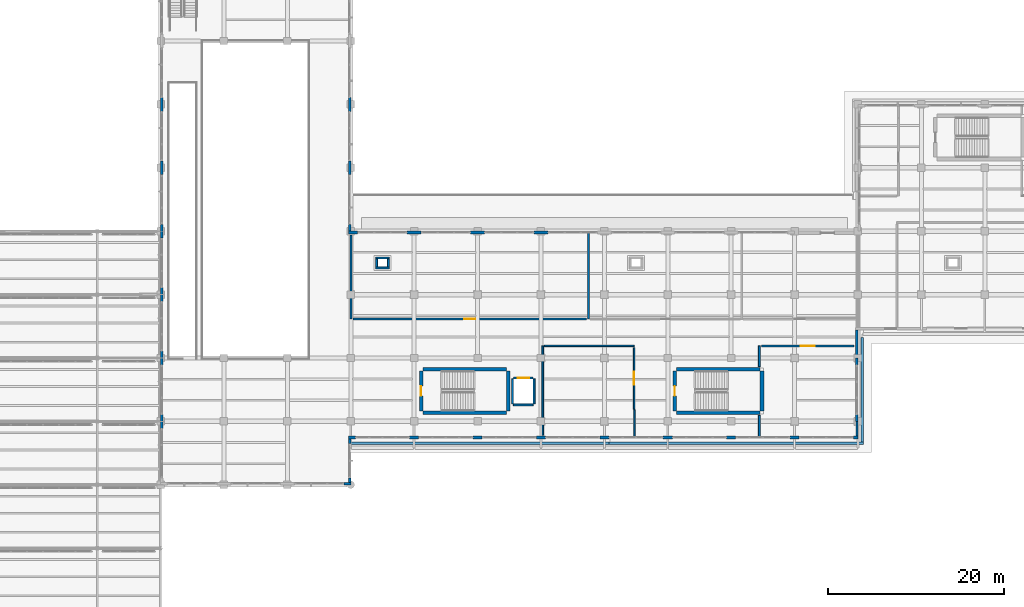
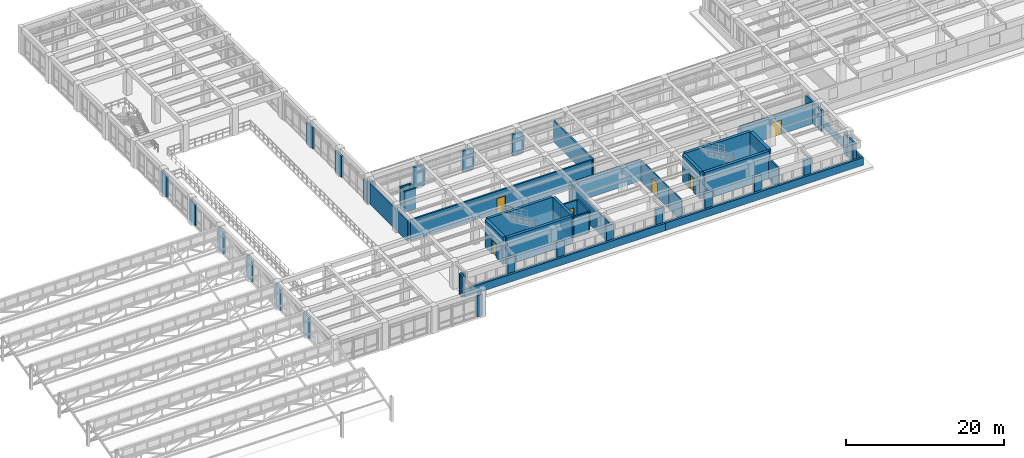
# One storey, part 83 of 98: 58 walls, 6 doors, 6 openings.
"""IFC4 building model written with IfcOpenShell, lengths in metres."""

from ifc_helpers import new_model, si_unit, direction, frame, frame_2d, origin, place, context, subcontext, project, spatial, rectangle, extrude, material, layer, layer_set, type_object, element, fill, save


model = new_model("IFC4")

# Units and contexts
model_context = context("Model", 3, precision=1e-05, world=origin(), true_north=direction((0.0, 1.0)))
body_context = subcontext(model_context, "Body", "Model", "MODEL_VIEW")
ifc_project = project(units=[si_unit("LENGTHUNIT", "METRE"), si_unit("AREAUNIT", "SQUARE_METRE"), si_unit("VOLUMEUNIT", "CUBIC_METRE"), si_unit("PLANEANGLEUNIT", "RADIAN"), si_unit("MASSUNIT", "GRAM", prefix="KILO")], contexts=[model_context])

# Site, building, storey
site_placement = place(None, origin())
site = spatial("IfcSite", under=ifc_project, at=site_placement, CompositionType="ELEMENT")
building_placement = place(site_placement, origin())
building = spatial("IfcBuilding", under=site, at=building_placement, Name="Solenvale Faculty of Natural Sciences", CompositionType="ELEMENT")
storey_placement = place(building_placement, frame((0.0, 0.0, 9.0)))
storey = spatial("IfcBuildingStorey", under=building, at=storey_placement, Name="L02", CompositionType="ELEMENT", Elevation=9.0)

# Walls
ifc_material_1 = material(Name="Architectural bronze concrete 40 MPa", Category="concrete")
ifc_layer_1 = layer(ifc_material_1, 0.300048828125)
ifc_layer_set_1 = layer_set([ifc_layer_1], Name="Architectural bronze concrete 40 MPa")
wall_type_1 = type_object("IfcWallType", Name="WL-EXT-BRZ-300", PredefinedType="STANDARD", material=ifc_layer_set_1)
wall_1_placement = place(storey_placement, frame((115.669921875, 31.15087890625, 0.0), z_axis=(0.0, 0.0, 1.0), x_axis=(0.0, -1.0, 0.0)))
element("IfcWall", 1, at=wall_1_placement, inside=storey, type_object=wall_type_1, Name="L02 Sliding-Tray Rough Bronze Concrete Band 5", PredefinedType="PARAPET", context=body_context, shape_type="SweptSolid", body=[
    extrude(rectangle(XDim=11.870849609375, YDim=0.300048828125, at=frame_2d((5.935546875, 0.0))), origin(), (0.0, 0.0, 1.0), 1.179931640625),
])
wall_2_placement = place(storey_placement, frame((115.820068359375, 19.1298828125, 0.0), z_axis=(0.0, 0.0, 1.0), x_axis=(-1.0, 0.0, 0.0)))
element("IfcWall", 2, at=wall_2_placement, inside=storey, type_object=wall_type_1, Name="L02 Sliding-Tray Rough Bronze Concrete Band 6", PredefinedType="PARAPET", context=body_context, shape_type="SweptSolid", body=[
    extrude(rectangle(XDim=28.907958984375, YDim=0.300048828125, at=frame_2d((14.4541015625, 0.0))), origin(), (0.0, 0.0, 1.0), 1.179931640625),
])
wall_3_placement = place(storey_placement, frame((87.1279296875, 19.1298828125, 0.0), z_axis=(0.0, 0.0, 1.0), x_axis=(-1.0, 0.0, 0.0)))
element("IfcWall", 3, at=wall_3_placement, inside=storey, type_object=wall_type_1, Name="L02 Sliding-Tray Rough Bronze Concrete Band 7", PredefinedType="PARAPET", context=body_context, shape_type="SweptSolid", body=[
    extrude(rectangle(XDim=29.498046875, YDim=0.300048828125, at=frame_2d((14.7490234375, 0.0))), origin(), (0.0, 0.0, 1.0), 1.179931640625),
])
ifc_layer_2 = layer(ifc_material_1, 0.324951171875)
ifc_layer_set_2 = layer_set([ifc_layer_2], Name="Architectural bronze concrete 40 MPa")
wall_type_2 = type_object("IfcWallType", Name="WL-EXT-BRZ-325", PredefinedType="STANDARD", material=ifc_layer_set_2)
wall_4_placement = place(storey_placement, frame((79.988037109375, 43.03759765625, 0.0), z_axis=(0.0, 0.0, 1.0), x_axis=(-1.0, 0.0, 0.0)))
element("IfcWall", 4, at=wall_4_placement, inside=storey, type_object=wall_type_2, Name="L02 Facade Closure Pier 6.B5-R", PredefinedType="STANDARD", context=body_context, shape_type="SweptSolid", body=[
    extrude(rectangle(XDim=1.575927734375, YDim=0.324951171875, at=frame_2d((0.7880859375, 0.0))), origin(), (0.0, 0.0, 1.0), 3.260009765625),
])
wall_5_placement = place(storey_placement, frame((72.7880859375, 43.03759765625, 0.0), z_axis=(0.0, 0.0, 1.0), x_axis=(-1.0, 0.0, 0.0)))
element("IfcWall", 5, at=wall_5_placement, inside=storey, type_object=wall_type_2, Name="L02 Facade Closure Pier 6.B6-R", PredefinedType="STANDARD", context=body_context, shape_type="SweptSolid", body=[
    extrude(rectangle(XDim=1.576171875, YDim=0.324951171875, at=frame_2d((0.7880859375, 0.0))), origin(), (0.0, 0.0, 1.0), 3.260009765625),
])
wall_6_placement = place(storey_placement, frame((65.587890625, 43.03759765625, 0.0), z_axis=(0.0, 0.0, 1.0), x_axis=(-1.0, 0.0, 0.0)))
element("IfcWall", 6, at=wall_6_placement, inside=storey, type_object=wall_type_2, Name="L02 Facade Closure Pier 6.B7-R", PredefinedType="STANDARD", context=body_context, shape_type="SweptSolid", body=[
    extrude(rectangle(XDim=1.575927734375, YDim=0.324951171875, at=frame_2d((0.7880859375, 0.0))), origin(), (0.0, 0.0, 1.0), 3.260009765625),
])
wall_7_placement = place(storey_placement, frame((58.387939453125, 43.03759765625, 0.0), z_axis=(0.0, 0.0, 1.0), x_axis=(-1.0, 0.0, 0.0)))
element("IfcWall", 7, at=wall_7_placement, inside=storey, type_object=wall_type_2, Name="L02 Facade Closure Pier 6.B8-R", PredefinedType="STANDARD", context=body_context, shape_type="SweptSolid", body=[
    extrude(rectangle(XDim=1.072998046875, YDim=0.324951171875, at=frame_2d((0.53662109375, 0.0))), origin(), (0.0, 0.0, 1.0), 3.260009765625),
])
wall_8_placement = place(storey_placement, frame((57.31494140625, 19.762451171875, 0.0), z_axis=(0.0, 0.0, 1.0), x_axis=(1.0, 0.0, 0.0)))
element("IfcWall", 8, at=wall_8_placement, inside=storey, type_object=wall_type_2, Name="L02 Facade Closure Pier 12.B1-L", PredefinedType="STANDARD", context=body_context, shape_type="SweptSolid", body=[
    extrude(rectangle(XDim=0.802978515625, YDim=0.324951171875, at=frame_2d((0.4013671875, 0.0))), origin(), (0.0, 0.0, 1.0), 3.260009765625),
])
for number, where, z_axis, x_axis, name in (
    (9, (64.281982421875, 19.762451171875, 0.0), (0.0, 0.0, 1.0), (1.0, 0.0, 0.0), "L02 Facade Closure Pier 12.B1-R"),
    (10, (71.48193359375, 19.762451171875, 0.0), (0.0, 0.0, 1.0), (1.0, 0.0, 0.0), "L02 Facade Closure Pier 12.B2-R"),
    (11, (78.681884765625, 19.762451171875, 0.0), (0.0, 0.0, 1.0), (1.0, 0.0, 0.0), "L02 Facade Closure Pier 12.B3-R"),
):
    element("IfcWall", number, at=place(storey_placement, frame(where, z_axis=z_axis, x_axis=x_axis)), inside=storey, type_object=wall_type_2, Name=name, PredefinedType="STANDARD", context=body_context, shape_type="SweptSolid", body=[
        extrude(rectangle(XDim=1.0361328125, YDim=0.324951171875, at=frame_2d((0.51806640625, 0.0))), origin(), (0.0, 0.0, 1.0), 3.260009765625),
    ])
for number, where, z_axis, x_axis, name in (
    (12, (85.882080078125, 19.762451171875, 0.0), (0.0, 0.0, 1.0), (1.0, 0.0, 0.0), "L02 Facade Closure Pier 12.B4-R"),
    (13, (93.08203125, 19.762451171875, 0.0), (0.0, 0.0, 1.0), (1.0, 0.0, 0.0), "L02 Facade Closure Pier 12.B5-R"),
):
    element("IfcWall", number, at=place(storey_placement, frame(where, z_axis=z_axis, x_axis=x_axis)), inside=storey, type_object=wall_type_2, Name=name, PredefinedType="STANDARD", context=body_context, shape_type="SweptSolid", body=[
        extrude(rectangle(XDim=1.035888671875, YDim=0.324951171875, at=frame_2d((0.51806640625, 0.0))), origin(), (0.0, 0.0, 1.0), 3.260009765625),
    ])
for number, where, z_axis, x_axis, name in (
    (14, (100.281982421875, 19.762451171875, 0.0), (0.0, 0.0, 1.0), (1.0, 0.0, 0.0), "L02 Facade Closure Pier 12.B6-R"),
    (15, (107.48193359375, 19.762451171875, 0.0), (0.0, 0.0, 1.0), (1.0, 0.0, 0.0), "L02 Facade Closure Pier 12.B7-R"),
):
    element("IfcWall", number, at=place(storey_placement, frame(where, z_axis=z_axis, x_axis=x_axis)), inside=storey, type_object=wall_type_2, Name=name, PredefinedType="STANDARD", context=body_context, shape_type="SweptSolid", body=[
        extrude(rectangle(XDim=1.0361328125, YDim=0.324951171875, at=frame_2d((0.51806640625, 0.0))), origin(), (0.0, 0.0, 1.0), 3.260009765625),
    ])
wall_9_placement = place(storey_placement, frame((114.681884765625, 19.762451171875, 0.0), z_axis=(0.0, 0.0, 1.0), x_axis=(1.0, 0.0, 0.0)))
element("IfcWall", 16, at=wall_9_placement, inside=storey, type_object=wall_type_2, Name="L02 Facade Closure Pier 12.B8-R", PredefinedType="STANDARD", context=body_context, shape_type="SweptSolid", body=[
    extrude(rectangle(XDim=0.51806640625, YDim=0.324951171875, at=frame_2d((0.259033203125, 0.0))), origin(), (0.0, 0.0, 1.0), 3.260009765625),
])
ifc_material_2 = material(Name="Precast concrete 40 MPa", Category="concrete")
ifc_layer_3 = layer(ifc_material_2, 0.2451171875)
ifc_layer_set_3 = layer_set([ifc_layer_3], Name="Precast concrete 40 MPa")
wall_type_3 = type_object("IfcWallType", Name="WL-EXT-PRC-245", PredefinedType="STANDARD", material=ifc_layer_set_3)
wall_10_placement = place(storey_placement, frame((115.077392578125, 21.60009765625, 0.0), z_axis=(0.0, 0.0, 1.0), x_axis=(0.0, -1.0, 0.0)))
element("IfcWall", 17, at=wall_10_placement, inside=storey, type_object=wall_type_3, Name="L02 Exterior Wall 1.1", PredefinedType="STANDARD", context=body_context, shape_type="SweptSolid", body=[
    extrude(rectangle(XDim=1.675048828125, YDim=0.2451171875, at=frame_2d((0.83740234375, 0.0))), origin(), (0.0, 0.0, 1.0), 3.260009765625),
])
ifc_layer_4 = layer(ifc_material_2, 0.284912109375)
ifc_layer_set_4 = layer_set([ifc_layer_4], Name="Precast concrete 40 MPa")
wall_type_4 = type_object("IfcWallType", Name="WL-EXT-PRC-285", PredefinedType="STANDARD", material=ifc_layer_set_4)
wall_11_placement = place(storey_placement, frame((115.0576171875, 21.60009765625, 0.0), z_axis=(0.0, 0.0, 1.0), x_axis=(0.0, 1.0, 0.0)))
element("IfcWall", 18, at=wall_11_placement, inside=storey, type_object=wall_type_4, Name="L02 Facade Closure Pier 1.B2-L", PredefinedType="STANDARD", context=body_context, shape_type="SweptSolid", body=[
    extrude(rectangle(XDim=0.787841796875, YDim=0.284912109375, at=frame_2d((0.39404296875, 0.0))), origin(), (0.0, 0.0, 1.0), 3.260009765625),
])
for number, where, z_axis, x_axis, name in (
    (19, (115.0576171875, 28.011962890625, 0.0), (0.0, 0.0, 1.0), (0.0, 1.0, 0.0), "L02 Facade Closure Pier 1.B2-R"),
    (20, (57.45751953125, 43.199951171875, 0.0), (0.0, 0.0, 1.0), (0.0, 1.0, 0.0), "L02 Facade Closure Pier 7.B1-L"),
):
    element("IfcWall", number, at=place(storey_placement, frame(where, z_axis=z_axis, x_axis=x_axis)), inside=storey, type_object=wall_type_4, Name=name, PredefinedType="STANDARD", context=body_context, shape_type="SweptSolid", body=[
        extrude(rectangle(XDim=0.7880859375, YDim=0.284912109375, at=frame_2d((0.39404296875, 0.0))), origin(), (0.0, 0.0, 1.0), 3.260009765625),
    ])
for number, where, z_axis, x_axis, name in (
    (21, (57.45751953125, 49.612060546875, 0.0), (0.0, 0.0, 1.0), (0.0, 1.0, 0.0), "L02 Facade Closure Pier 7.B1-R"),
    (22, (57.45751953125, 56.81201171875, 0.0), (0.0, 0.0, 1.0), (0.0, 1.0, 0.0), "L02 Facade Closure Pier 7.B2-R"),
    (23, (36.142578125, 58.387939453125, 0.0), (0.0, 0.0, 1.0), (0.0, -1.0, 0.0), "L02 Facade Closure Pier 9.B5-R"),
    (24, (36.142578125, 51.18798828125, 0.0), (0.0, 0.0, 1.0), (0.0, -1.0, 0.0), "L02 Facade Closure Pier 9.B6-R"),
    (25, (36.142578125, 43.988037109375, 0.0), (0.0, 0.0, 1.0), (0.0, -1.0, 0.0), "L02 Facade Closure Pier 9.B7-R"),
):
    element("IfcWall", number, at=place(storey_placement, frame(where, z_axis=z_axis, x_axis=x_axis)), inside=storey, type_object=wall_type_4, Name=name, PredefinedType="STANDARD", context=body_context, shape_type="SweptSolid", body=[
        extrude(rectangle(XDim=1.575927734375, YDim=0.284912109375, at=frame_2d((0.7880859375, 0.0))), origin(), (0.0, 0.0, 1.0), 3.260009765625),
    ])
wall_12_placement = place(storey_placement, frame((36.142578125, 36.7880859375, 0.0), z_axis=(0.0, 0.0, 1.0), x_axis=(0.0, -1.0, 0.0)))
element("IfcWall", 26, at=wall_12_placement, inside=storey, type_object=wall_type_4, Name="L02 Facade Closure Pier 9.B8-R", PredefinedType="STANDARD", context=body_context, shape_type="SweptSolid", body=[
    extrude(rectangle(XDim=1.576171875, YDim=0.284912109375, at=frame_2d((0.7880859375, 0.0))), origin(), (0.0, 0.0, 1.0), 3.260009765625),
])
for number, where, z_axis, x_axis, name in (
    (27, (36.142578125, 29.587890625, 0.0), (0.0, 0.0, 1.0), (0.0, -1.0, 0.0), "L02 Facade Closure Pier 9.B9-R"),
    (28, (36.142578125, 22.387939453125, 0.0), (0.0, 0.0, 1.0), (0.0, -1.0, 0.0), "L02 Facade Closure Pier 9.B10-R"),
):
    element("IfcWall", number, at=place(storey_placement, frame(where, z_axis=z_axis, x_axis=x_axis)), inside=storey, type_object=wall_type_4, Name=name, PredefinedType="STANDARD", context=body_context, shape_type="SweptSolid", body=[
        extrude(rectangle(XDim=1.575927734375, YDim=0.284912109375, at=frame_2d((0.7880859375, 0.0))), origin(), (0.0, 0.0, 1.0), 3.260009765625),
    ])
wall_13_placement = place(storey_placement, frame((56.81201171875, 14.54248046875, 0.0), z_axis=(0.0, 0.0, 1.0), x_axis=(1.0, 0.0, 0.0)))
element("IfcWall", 29, at=wall_13_placement, inside=storey, type_object=wall_type_4, Name="L02 Facade Closure Pier 10.B3-R", PredefinedType="STANDARD", context=body_context, shape_type="SweptSolid", body=[
    extrude(rectangle(XDim=0.7880859375, YDim=0.284912109375, at=frame_2d((0.39404296875, 0.0))), origin(), (0.0, 0.0, 1.0), 3.260009765625),
])
wall_14_placement = place(storey_placement, frame((57.45751953125, 14.68505859375, 0.0), z_axis=(0.0, 0.0, 1.0), x_axis=(0.0, 1.0, 0.0)))
element("IfcWall", 30, at=wall_14_placement, inside=storey, type_object=wall_type_4, Name="L02 Facade Closure Pier 11.B1-L", PredefinedType="STANDARD", context=body_context, shape_type="SweptSolid", body=[
    extrude(rectangle(XDim=0.5029296875, YDim=0.284912109375, at=frame_2d((0.25146484375, 0.0))), origin(), (0.0, 0.0, 1.0), 3.260009765625),
])
wall_15_placement = place(storey_placement, frame((57.45751953125, 19.08203125, 0.0), z_axis=(0.0, 0.0, 1.0), x_axis=(0.0, 1.0, 0.0)))
element("IfcWall", 31, at=wall_15_placement, inside=storey, type_object=wall_type_4, Name="L02 Facade Closure Pier 11.B1-R", PredefinedType="STANDARD", context=body_context, shape_type="SweptSolid", body=[
    extrude(rectangle(XDim=0.51806640625, YDim=0.284912109375, at=frame_2d((0.259033203125, 0.0))), origin(), (0.0, 0.0, 1.0), 3.260009765625),
])
ifc_layer_5 = layer(ifc_material_2, 0.304931640625)
ifc_layer_set_5 = layer_set([ifc_layer_5], Name="Precast concrete 40 MPa")
wall_type_5 = type_object("IfcWallType", Name="WL-EXT-PRC-305", PredefinedType="STANDARD", material=ifc_layer_set_5)
wall_16_placement = place(storey_placement, frame((115.047607421875, 32.0, 0.0), z_axis=(0.0, 0.0, 1.0), x_axis=(0.0, -1.0, 0.0)))
element("IfcWall", 32, at=wall_16_placement, inside=storey, type_object=wall_type_5, Name="L02 Exterior Wall 1.3", PredefinedType="STANDARD", context=body_context, shape_type="SweptSolid", body=[
    extrude(rectangle(XDim=3.199951171875, YDim=0.304931640625, at=frame_2d((1.60009765625, 0.0))), origin(), (0.0, 0.0, 1.0), 3.260009765625),
])
ifc_material_3 = material(Name="Gypsum fire-rated laboratory partition")
ifc_layer_6 = layer(ifc_material_3, 0.175048828125)
ifc_layer_set_6 = layer_set([ifc_layer_6], Name="Gypsum fire-rated laboratory partition")
wall_type_6 = type_object("IfcWallType", Name="WL-LAB-175", PredefinedType="PARTITIONING", material=ifc_layer_set_6)
wall_17_placement = place(storey_placement, frame((79.39990234375, 20.02392578125, 0.0), z_axis=(0.0, 0.0, 1.0), x_axis=(0.0, 1.0, 0.0)))
element("IfcWall", 33, at=wall_17_placement, inside=storey, type_object=wall_type_6, Name="L02 Biochemistry Teaching Laboratory Partition 1", PredefinedType="PARTITIONING", context=body_context, shape_type="SweptSolid", body=[
    extrude(rectangle(XDim=10.156005859375, YDim=0.175048828125, at=frame_2d((5.078125, 0.0))), origin(), (0.0, 0.0, 1.0), 3.260009765625),
])
wall_18_placement = place(storey_placement, frame((79.5869140625, 30.179931640625, 0.0), z_axis=(0.0, 0.0, 1.0), x_axis=(1.0, 0.0, 0.0)))
element("IfcWall", 34, at=wall_18_placement, inside=storey, type_object=wall_type_6, Name="L02 Biochemistry Teaching Laboratory Partition 2", PredefinedType="PARTITIONING", context=body_context, shape_type="SweptSolid", body=[
    extrude(rectangle(XDim=10.193115234375, YDim=0.175048828125, at=frame_2d((5.0966796875, 0.0))), origin(), (0.0, 0.0, 1.0), 3.260009765625),
])

# Wall, opening, door
wall_19_placement = place(storey_placement, frame((89.780029296875, 29.992919921875, 0.0), z_axis=(0.0, 0.0, 1.0), x_axis=(0.0, -1.0, 0.0)))
wall_19 = element("IfcWall", 35, at=wall_19_placement, inside=storey, type_object=wall_type_6, Name="L02 Biochemistry Teaching Laboratory Partition 3", PredefinedType="PARTITIONING", context=body_context, shape_type="SweptSolid", body=[
    extrude(rectangle(XDim=6.992919921875, YDim=0.175048828125, at=frame_2d((3.49658203125, 0.0))), origin(), (0.0, 0.0, 1.0), 3.260009765625),
])
opening_1_placement = place(wall_19_placement, frame((2.77099609375, 0.0, 0.0)))
opening_1 = element("IfcOpeningElement", 36, at=opening_1_placement, cuts=wall_19, Name="Opening D-L02-04", PredefinedType="OPENING", context=body_context, shape_type="SweptSolid", body=[
    extrude(rectangle(XDim=1.449951171875, YDim=2.199951171875, at=frame_2d((0.72509765625, 1.10009765625))), frame((0.0, 0.097412109375, 0.0), z_axis=(0.0, -1.0, 0.0), x_axis=(1.0, 0.0, 0.0)), (0.0, 0.0, 1.0), 0.195068359375),
])
ifc_material_4 = material(Name="Oak acoustic timber leaf", Category="wood")
door_type_1 = type_object("IfcDoorType", Name="DR-LAB-1450x2200", OperationType="NOTDEFINED", PredefinedType="DOOR", material=ifc_material_4)
door_1_placement = place(opening_1_placement, origin())
door_1 = element("IfcDoor", 37, at=door_1_placement, inside=storey, type_object=door_type_1, Name="L02 Biochemistry Teaching Laboratory Door", OperationType="SINGLE_SWING_LEFT", OverallHeight=2.199951171875, OverallWidth=1.449951171875, PredefinedType="DOOR", context=body_context, shape_type="SweptSolid", body=[
    extrude(rectangle(XDim=1.449951171875, YDim=2.199951171875, at=frame_2d((0.72509765625, 1.10009765625))), frame((0.0, 0.02490234375, 0.0), z_axis=(0.0, -1.0, 0.0), x_axis=(1.0, 0.0, 0.0)), (0.0, 0.0, 1.0), 0.050048828125),
])
fill(opening_1, door_1)

# Walls
wall_20_placement = place(storey_placement, frame((89.800048828125, 22.90087890625, 0.0), z_axis=(0.0, 0.0, 1.0), x_axis=(0.0, -1.0, 0.0)))
element("IfcWall", 38, at=wall_20_placement, inside=storey, type_object=wall_type_6, Name="L02 Biochemistry Teaching Laboratory Partition 20", PredefinedType="PARTITIONING", context=body_context, shape_type="SweptSolid", body=[
    extrude(rectangle(XDim=3.098876953125, YDim=0.175048828125, at=frame_2d((1.54931640625, 0.0))), origin(), (0.0, 0.0, 1.0), 3.260009765625),
])
ifc_layer_7 = layer(ifc_material_3, 0.2119140625)
ifc_layer_set_7 = layer_set([ifc_layer_7], Name="Gypsum fire-rated laboratory partition")
wall_type_7 = type_object("IfcWallType", Name="WL-LAB-212", PredefinedType="PARTITIONING", material=ifc_layer_set_7)
wall_21_placement = place(storey_placement, frame((104.0, 19.802001953125, 0.0), z_axis=(0.0, 0.0, 1.0), x_axis=(0.0, 1.0, 0.0)))
element("IfcWall", 39, at=wall_21_placement, inside=storey, type_object=wall_type_7, Name="L02 Inorganic Chemistry Laboratory Partition 3", PredefinedType="PARTITIONING", context=body_context, shape_type="SweptSolid", body=[
    extrude(rectangle(XDim=2.469970703125, YDim=0.2119140625, at=frame_2d((1.23486328125, 0.0))), origin(), (0.0, 0.0, 1.0), 3.260009765625),
])
wall_22_placement = place(storey_placement, frame((104.0, 27.827880859375, 0.0), z_axis=(0.0, 0.0, 1.0), x_axis=(0.0, 1.0, 0.0)))
element("IfcWall", 40, at=wall_22_placement, inside=storey, type_object=wall_type_7, Name="L02 Inorganic Chemistry Laboratory Partition 39", PredefinedType="PARTITIONING", context=body_context, shape_type="SweptSolid", body=[
    extrude(rectangle(XDim=2.35205078125, YDim=0.2119140625, at=frame_2d((1.176025390625, 0.0))), origin(), (0.0, 0.0, 1.0), 3.260009765625),
])

# Wall, opening, door
wall_23_placement = place(storey_placement, frame((104.22412109375, 30.179931640625, 0.0), z_axis=(0.0, 0.0, 1.0), x_axis=(1.0, 0.0, 0.0)))
wall_23 = element("IfcWall", 41, at=wall_23_placement, inside=storey, type_object=wall_type_7, Name="L02 Inorganic Chemistry Laboratory Partition 40", PredefinedType="PARTITIONING", context=body_context, shape_type="SweptSolid", body=[
    extrude(rectangle(XDim=10.552978515625, YDim=0.2119140625, at=frame_2d((5.2763671875, 0.0))), origin(), (0.0, 0.0, 1.0), 3.260009765625),
])
opening_2_placement = place(wall_23_placement, frame((4.5009765625, 0.0, 0.0)))
opening_2 = element("IfcOpeningElement", 42, at=opening_2_placement, cuts=wall_23, Name="Opening D-L02-05", PredefinedType="OPENING", context=body_context, shape_type="SweptSolid", body=[
    extrude(rectangle(XDim=1.550048828125, YDim=2.199951171875, at=frame_2d((0.77490234375, 1.10009765625))), frame((0.0, 0.115966796875, 0.0), z_axis=(0.0, -1.0, 0.0), x_axis=(1.0, 0.0, 0.0)), (0.0, 0.0, 1.0), 0.23193359375),
])
door_type_2 = type_object("IfcDoorType", Name="DR-LAB-1550x2200", OperationType="NOTDEFINED", PredefinedType="DOOR", material=ifc_material_4)
door_2_placement = place(opening_2_placement, origin())
door_2 = element("IfcDoor", 43, at=door_2_placement, inside=storey, type_object=door_type_2, Name="L02 Inorganic Chemistry Laboratory Door", OperationType="SINGLE_SWING_RIGHT", OverallHeight=2.199951171875, OverallWidth=1.550048828125, PredefinedType="DOOR", context=body_context, shape_type="SweptSolid", body=[
    extrude(rectangle(XDim=1.550048828125, YDim=2.199951171875, at=frame_2d((0.77490234375, 1.10009765625))), frame((0.0, 0.02490234375, 0.0), z_axis=(0.0, -1.0, 0.0), x_axis=(1.0, 0.0, 0.0)), (0.0, 0.0, 1.0), 0.050048828125),
])
fill(opening_2, door_2)

# Walls
ifc_layer_8 = layer(ifc_material_3, 0.22802734375)
ifc_layer_set_8 = layer_set([ifc_layer_8], Name="Gypsum fire-rated laboratory partition")
wall_type_8 = type_object("IfcWallType", Name="WL-LAB-228", PredefinedType="PARTITIONING", material=ifc_layer_set_8)
wall_24_placement = place(storey_placement, frame((57.6201171875, 33.219970703125, 0.0), z_axis=(0.0, 0.0, 1.0), x_axis=(0.0, 1.0, 0.0)))
element("IfcWall", 44, at=wall_24_placement, inside=storey, type_object=wall_type_8, Name="L02 Terrace Ecology Laboratory Partition 1", PredefinedType="PARTITIONING", context=body_context, shape_type="SweptSolid", body=[
    extrude(rectangle(XDim=9.529052734375, YDim=0.22802734375, at=frame_2d((4.7646484375, 0.0))), origin(), (0.0, 0.0, 1.0), 3.260009765625),
])
wall_25_placement = place(storey_placement, frame((84.60009765625, 42.998046875, 0.0), z_axis=(0.0, 0.0, 1.0), x_axis=(0.0, -1.0, 0.0)))
element("IfcWall", 45, at=wall_25_placement, inside=storey, type_object=wall_type_8, Name="L02 Terrace Ecology Laboratory Partition 3", PredefinedType="PARTITIONING", context=body_context, shape_type="SweptSolid", body=[
    extrude(rectangle(XDim=9.778076171875, YDim=0.22802734375, at=frame_2d((4.88916015625, 0.0))), origin(), (0.0, 0.0, 1.0), 3.260009765625),
])

# Wall, opening, door
wall_26_placement = place(storey_placement, frame((84.360107421875, 33.219970703125, 0.0), z_axis=(0.0, 0.0, 1.0), x_axis=(-1.0, 0.0, 0.0)))
wall_26 = element("IfcWall", 46, at=wall_26_placement, inside=storey, type_object=wall_type_8, Name="L02 Terrace Ecology Laboratory Partition 4", PredefinedType="PARTITIONING", context=body_context, shape_type="SweptSolid", body=[
    extrude(rectangle(XDim=26.5, YDim=0.22802734375, at=frame_2d((13.25, 0.0))), origin(), (0.0, 0.0, 1.0), 3.260009765625),
])
opening_3_placement = place(wall_26_placement, frame((12.610107421875, 0.0, 0.0)))
opening_3 = element("IfcOpeningElement", 47, at=opening_3_placement, cuts=wall_26, Name="Opening D-L02-06", PredefinedType="OPENING", context=body_context, shape_type="SweptSolid", body=[
    extrude(rectangle(XDim=1.280029296875, YDim=2.14990234375, at=frame_2d((0.64013671875, 1.074951171875))), frame((0.0, 0.1240234375, 0.0), z_axis=(0.0, -1.0, 0.0), x_axis=(1.0, 0.0, 0.0)), (0.0, 0.0, 1.0), 0.248046875),
])
door_type_3 = type_object("IfcDoorType", Name="DR-LAB-1280x2150", OperationType="NOTDEFINED", PredefinedType="DOOR", material=ifc_material_4)
door_3_placement = place(opening_3_placement, origin())
door_3 = element("IfcDoor", 48, at=door_3_placement, inside=storey, type_object=door_type_3, Name="L02 Terrace Ecology Laboratory Door", OperationType="SINGLE_SWING_LEFT", OverallHeight=2.14990234375, OverallWidth=1.280029296875, PredefinedType="DOOR", context=body_context, shape_type="SweptSolid", body=[
    extrude(rectangle(XDim=1.280029296875, YDim=2.14990234375, at=frame_2d((0.64013671875, 1.074951171875))), frame((0.0, 0.02490234375, 0.0), z_axis=(0.0, -1.0, 0.0), x_axis=(1.0, 0.0, 0.0)), (0.0, 0.0, 1.0), 0.050048828125),
])
fill(opening_3, door_3)

# Wall
ifc_material_5 = material(Name="Concrete 40 MPa", Category="concrete")
ifc_layer_9 = layer(ifc_material_5, 0.219970703125)
ifc_layer_set_9 = layer_set([ifc_layer_9], Name="Concrete 40 MPa")
wall_type_9 = type_object("IfcWallType", Name="WL-SHF-220", PredefinedType="STANDARD", material=ifc_layer_set_9)
wall_27_placement = place(storey_placement, frame((76.080078125, 23.469970703125, 0.0), z_axis=(0.0, 0.0, 1.0), x_axis=(1.0, 0.0, 0.0)))
element("IfcWall", 49, at=wall_27_placement, inside=storey, type_object=wall_type_9, Name="Elevator LG-01 L02 Shaft Wall S", PredefinedType="STANDARD", context=body_context, shape_type="SweptSolid", body=[
    extrude(rectangle(XDim=2.239990234375, YDim=0.219970703125, at=frame_2d((1.1201171875, 0.0))), origin(), (0.0, 0.0, 1.0), 3.260009765625),
])

# Wall, opening, door
wall_28_placement = place(storey_placement, frame((76.080078125, 26.530029296875, 0.0), z_axis=(0.0, 0.0, 1.0), x_axis=(1.0, 0.0, 0.0)))
wall_28 = element("IfcWall", 50, at=wall_28_placement, inside=storey, type_object=wall_type_9, Name="Elevator LG-01 L02 Shaft Wall N", PredefinedType="STANDARD", context=body_context, shape_type="SweptSolid", body=[
    extrude(rectangle(XDim=2.239990234375, YDim=0.219970703125, at=frame_2d((1.1201171875, 0.0))), origin(), (0.0, 0.0, 1.0), 3.260009765625),
])
opening_4_placement = place(wall_28_placement, frame((0.469970703125, 0.0, 0.0)))
opening_4 = element("IfcOpeningElement", 51, at=opening_4_placement, cuts=wall_28, Name="Opening LD-LG-01-L02", PredefinedType="OPENING", context=body_context, shape_type="SweptSolid", body=[
    extrude(rectangle(XDim=1.300048828125, YDim=2.199951171875, at=frame_2d((0.64990234375, 1.10009765625))), frame((0.0, 0.119873046875, 0.0), z_axis=(0.0, -1.0, 0.0), x_axis=(1.0, 0.0, 0.0)), (0.0, 0.0, 1.0), 0.239990234375),
])
ifc_material_6 = material(Name="Stainless steel Grade 304", Category="steel")
door_type_4 = type_object("IfcDoorType", Name="DR-LIFT-1300x2200", OperationType="NOTDEFINED", PredefinedType="DOOR", material=ifc_material_6)
door_4_placement = place(opening_4_placement, origin())
door_4 = element("IfcDoor", 52, at=door_4_placement, inside=storey, type_object=door_type_4, Name="Elevator LG-01 L02 Sliding Landing Door", OperationType="SLIDING_TO_RIGHT", OverallHeight=2.199951171875, OverallWidth=1.300048828125, PredefinedType="DOOR", context=body_context, shape_type="SweptSolid", body=[
    extrude(rectangle(XDim=1.300048828125, YDim=2.199951171875, at=frame_2d((0.64990234375, 1.10009765625))), frame((0.0, 0.02490234375, 0.0), z_axis=(0.0, -1.0, 0.0), x_axis=(1.0, 0.0, 0.0)), (0.0, 0.0, 1.0), 0.050048828125),
])
fill(opening_4, door_4)

# Walls
for number, where, z_axis, x_axis, name in (
    (53, (75.969970703125, 23.580078125, 0.0), (0.0, 0.0, 1.0), (0.0, 1.0, 0.0), "Elevator LG-01 L02 Shaft Wall W"),
    (54, (78.429931640625, 23.580078125, 0.0), (0.0, 0.0, 1.0), (0.0, 1.0, 0.0), "Elevator LG-01 L02 Shaft Wall E"),
):
    element("IfcWall", number, at=place(storey_placement, frame(where, z_axis=z_axis, x_axis=x_axis)), inside=storey, type_object=wall_type_9, Name=name, PredefinedType="STANDARD", context=body_context, shape_type="SweptSolid", body=[
        extrude(rectangle(XDim=2.83984375, YDim=0.219970703125, at=frame_2d((1.419921875, 0.0))), origin(), (0.0, 0.0, 1.0), 3.260009765625),
    ])
for number, where, z_axis, x_axis, name in (
    (55, (60.429931640625, 39.0400390625, 0.0), (0.0, 0.0, 1.0), (1.0, 0.0, 0.0), "L02 Service Riser Shaft 2 Wall S"),
    (56, (60.429931640625, 40.159912109375, 0.0), (0.0, 0.0, 1.0), (1.0, 0.0, 0.0), "L02 Service Riser Shaft 2 Wall N"),
):
    element("IfcWall", number, at=place(storey_placement, frame(where, z_axis=z_axis, x_axis=x_axis)), inside=storey, type_object=wall_type_9, Name=name, PredefinedType="STANDARD", context=body_context, shape_type="SweptSolid", body=[
        extrude(rectangle(XDim=1.5400390625, YDim=0.219970703125, at=frame_2d((0.77001953125, 0.0))), origin(), (0.0, 0.0, 1.0), 3.260009765625),
    ])
for number, where, z_axis, x_axis, name in (
    (57, (60.5400390625, 39.14990234375, 0.0), (0.0, 0.0, 1.0), (0.0, 1.0, 0.0), "L02 Service Riser Shaft 2 Wall W"),
    (58, (61.860107421875, 39.14990234375, 0.0), (0.0, 0.0, 1.0), (0.0, 1.0, 0.0), "L02 Service Riser Shaft 2 Wall E"),
):
    element("IfcWall", number, at=place(storey_placement, frame(where, z_axis=z_axis, x_axis=x_axis)), inside=storey, type_object=wall_type_9, Name=name, PredefinedType="STANDARD", context=body_context, shape_type="SweptSolid", body=[
        extrude(rectangle(XDim=0.900146484375, YDim=0.219970703125, at=frame_2d((0.4501953125, 0.0))), origin(), (0.0, 0.0, 1.0), 3.260009765625),
    ])
ifc_material_7 = material(Name="Concrete 50 MPa", Category="concrete")
ifc_layer_10 = layer(ifc_material_7, 0.409912109375)
ifc_layer_set_10 = layer_set([ifc_layer_10], Name="Concrete 50 MPa")
wall_type_10 = type_object("IfcWallType", Name="WL-SHR-410", PredefinedType="SHEAR", material=ifc_layer_set_10)
for number, where, z_axis, x_axis, name in (
    (59, (65.800048828125, 22.594970703125, 0.0), (0.0, 0.0, 1.0), (1.0, 0.0, 0.0), "Core C3 L02 Shear Wall S"),
    (60, (65.800048828125, 27.5048828125, 0.0), (0.0, 0.0, 1.0), (1.0, 0.0, 0.0), "Core C3 L02 Shear Wall N"),
):
    element("IfcWall", number, at=place(storey_placement, frame(where, z_axis=z_axis, x_axis=x_axis)), inside=storey, type_object=wall_type_10, Name=name, PredefinedType="SHEAR", context=body_context, shape_type="SweptSolid", body=[
        extrude(rectangle(XDim=9.5, YDim=0.409912109375, at=frame_2d((4.75, 0.0))), origin(), (0.0, 0.0, 1.0), 4.219970703125),
    ])

# Wall, opening, door
wall_29_placement = place(storey_placement, frame((65.594970703125, 22.800048828125, 0.0), z_axis=(0.0, 0.0, 1.0), x_axis=(0.0, 1.0, 0.0)))
wall_29 = element("IfcWall", 61, at=wall_29_placement, inside=storey, type_object=wall_type_10, Name="Core C3 L02 Shear Wall W", PredefinedType="SHEAR", context=body_context, shape_type="SweptSolid", body=[
    extrude(rectangle(XDim=4.5, YDim=0.409912109375, at=frame_2d((2.25, 0.0))), origin(), (0.0, 0.0, 1.0), 4.219970703125),
])
opening_5_placement = place(wall_29_placement, frame((1.699951171875, 0.0, 0.0)))
opening_5 = element("IfcOpeningElement", 62, at=opening_5_placement, cuts=wall_29, Name="Opening DS-C3-L02", PredefinedType="OPENING", context=body_context, shape_type="SweptSolid", body=[
    extrude(rectangle(XDim=1.10009765625, YDim=2.14990234375, at=frame_2d((0.550048828125, 1.074951171875))), frame((0.0, 0.21484375, 0.0), z_axis=(0.0, -1.0, 0.0), x_axis=(1.0, 0.0, 0.0)), (0.0, 0.0, 1.0), 0.429931640625),
])
ifc_material_8 = material(Name="Galvanised steel S355", Category="steel")
door_type_5 = type_object("IfcDoorType", Name="DR-STAIR-1100x2150", OperationType="NOTDEFINED", PredefinedType="DOOR", material=ifc_material_8)
door_5_placement = place(opening_5_placement, origin())
door_5 = element("IfcDoor", 63, at=door_5_placement, inside=storey, type_object=door_type_5, Name="L02 Stair ST-03 Fire Door", OperationType="SINGLE_SWING_RIGHT", OverallHeight=2.14990234375, OverallWidth=1.10009765625, PredefinedType="DOOR", context=body_context, shape_type="SweptSolid", body=[
    extrude(rectangle(XDim=1.10009765625, YDim=2.14990234375, at=frame_2d((0.550048828125, 1.074951171875))), frame((0.0, 0.02490234375, 0.0), z_axis=(0.0, -1.0, 0.0), x_axis=(1.0, 0.0, 0.0)), (0.0, 0.0, 1.0), 0.050048828125),
])
fill(opening_5, door_5)

# Walls
wall_30_placement = place(storey_placement, frame((75.5048828125, 22.800048828125, 0.0), z_axis=(0.0, 0.0, 1.0), x_axis=(0.0, 1.0, 0.0)))
element("IfcWall", 64, at=wall_30_placement, inside=storey, type_object=wall_type_10, Name="Core C3 L02 Shear Wall E", PredefinedType="SHEAR", context=body_context, shape_type="SweptSolid", body=[
    extrude(rectangle(XDim=4.5, YDim=0.409912109375, at=frame_2d((2.25, 0.0))), origin(), (0.0, 0.0, 1.0), 4.219970703125),
])
for number, where, z_axis, x_axis, name in (
    (65, (94.60009765625, 22.594970703125, 0.0), (0.0, 0.0, 1.0), (1.0, 0.0, 0.0), "Core C3B L02 Shear Wall S"),
    (66, (94.60009765625, 27.5048828125, 0.0), (0.0, 0.0, 1.0), (1.0, 0.0, 0.0), "Core C3B L02 Shear Wall N"),
):
    element("IfcWall", number, at=place(storey_placement, frame(where, z_axis=z_axis, x_axis=x_axis)), inside=storey, type_object=wall_type_10, Name=name, PredefinedType="SHEAR", context=body_context, shape_type="SweptSolid", body=[
        extrude(rectangle(XDim=9.5, YDim=0.409912109375, at=frame_2d((4.75, 0.0))), origin(), (0.0, 0.0, 1.0), 4.219970703125),
    ])

# Wall, opening, door
wall_31_placement = place(storey_placement, frame((94.39501953125, 22.800048828125, 0.0), z_axis=(0.0, 0.0, 1.0), x_axis=(0.0, 1.0, 0.0)))
wall_31 = element("IfcWall", 67, at=wall_31_placement, inside=storey, type_object=wall_type_10, Name="Core C3B L02 Shear Wall W", PredefinedType="SHEAR", context=body_context, shape_type="SweptSolid", body=[
    extrude(rectangle(XDim=4.5, YDim=0.409912109375, at=frame_2d((2.25, 0.0))), origin(), (0.0, 0.0, 1.0), 4.219970703125),
])
opening_6_placement = place(wall_31_placement, frame((1.699951171875, 0.0, 0.0)))
opening_6 = element("IfcOpeningElement", 68, at=opening_6_placement, cuts=wall_31, Name="Opening DS-C3B-L02", PredefinedType="OPENING", context=body_context, shape_type="SweptSolid", body=[
    extrude(rectangle(XDim=1.10009765625, YDim=2.14990234375, at=frame_2d((0.550048828125, 1.074951171875))), frame((0.0, 0.21484375, 0.0), z_axis=(0.0, -1.0, 0.0), x_axis=(1.0, 0.0, 0.0)), (0.0, 0.0, 1.0), 0.429931640625),
])
door_6_placement = place(opening_6_placement, origin())
door_6 = element("IfcDoor", 69, at=door_6_placement, inside=storey, type_object=door_type_5, Name="L02 Stair ST-07 Fire Door", OperationType="SINGLE_SWING_RIGHT", OverallHeight=2.14990234375, OverallWidth=1.10009765625, PredefinedType="DOOR", context=body_context, shape_type="SweptSolid", body=[
    extrude(rectangle(XDim=1.10009765625, YDim=2.14990234375, at=frame_2d((0.550048828125, 1.074951171875))), frame((0.0, 0.02490234375, 0.0), z_axis=(0.0, -1.0, 0.0), x_axis=(1.0, 0.0, 0.0)), (0.0, 0.0, 1.0), 0.050048828125),
])
fill(opening_6, door_6)

# Wall
wall_32_placement = place(storey_placement, frame((104.304931640625, 22.800048828125, 0.0), z_axis=(0.0, 0.0, 1.0), x_axis=(0.0, 1.0, 0.0)))
element("IfcWall", 70, at=wall_32_placement, inside=storey, type_object=wall_type_10, Name="Core C3B L02 Shear Wall E", PredefinedType="SHEAR", context=body_context, shape_type="SweptSolid", body=[
    extrude(rectangle(XDim=4.5, YDim=0.409912109375, at=frame_2d((2.25, 0.0))), origin(), (0.0, 0.0, 1.0), 4.219970703125),
])

save(model, "model.ifc")
